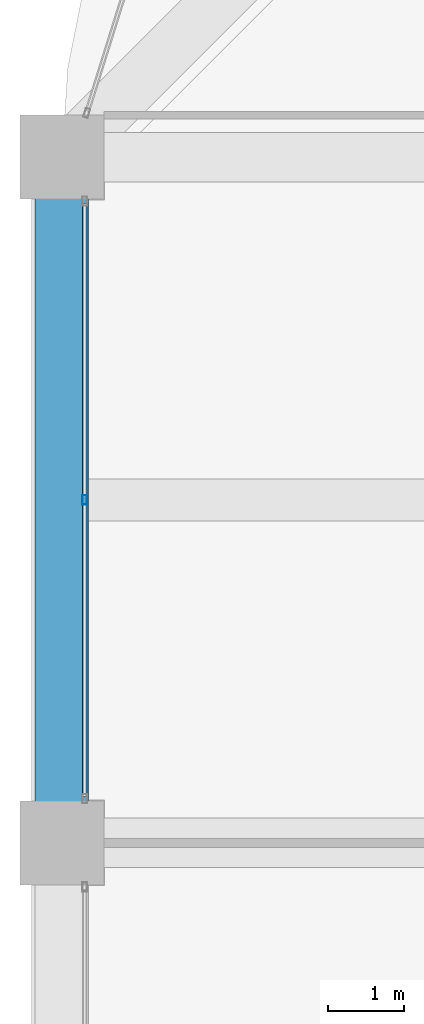
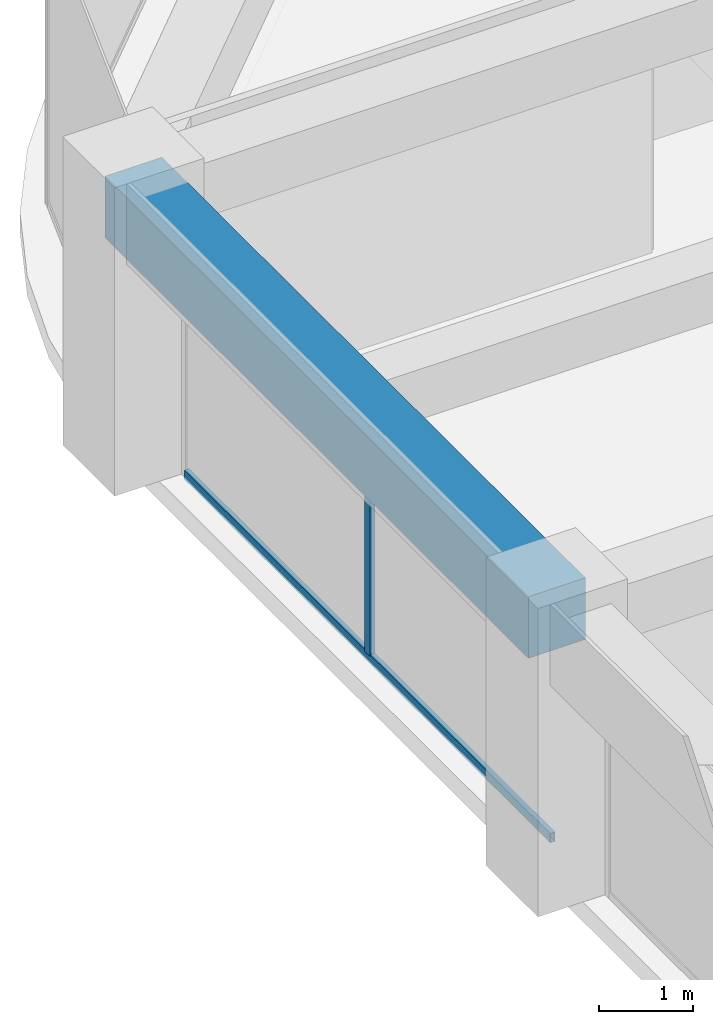
# One storey, part 16 of 45: 2 members, 1 beam, 1 element without a shape of its own.
"""IFC4 building model written with IfcOpenShell, lengths in metres."""

from ifc_helpers import new_model, si_unit, direction, frame, origin, origin_2d, place, context, subcontext, project, spatial, rectangle, hollow_rectangle, extrude, material, material_profile, profile_set, type_object, element, aggregate, save


model = new_model("IFC4")

# Units and contexts
model_context = context("Model", 3, precision=1e-05, world=origin(), true_north=direction((0.0, 1.0)))
body_context = subcontext(model_context, "Body", "Model", "MODEL_VIEW")
ifc_project = project(units=[si_unit("LENGTHUNIT", "METRE"), si_unit("AREAUNIT", "SQUARE_METRE"), si_unit("VOLUMEUNIT", "CUBIC_METRE"), si_unit("PLANEANGLEUNIT", "RADIAN"), si_unit("MASSUNIT", "GRAM", prefix="KILO")], contexts=[model_context])

# Site, building, storey
site_placement = place(None, origin())
site = spatial("IfcSite", under=ifc_project, at=site_placement, CompositionType="ELEMENT")
building_placement = place(site_placement, origin())
building = spatial("IfcBuilding", under=site, at=building_placement, Name="Zorevar Civic Tower", CompositionType="ELEMENT")
storey_placement = place(building_placement, frame((0.0, 0.0, 291.39990234375)))
storey = spatial("IfcBuildingStorey", under=building, at=storey_placement, Name="L71", CompositionType="ELEMENT", Elevation=291.39990234375)

# Curtain wall, members
ifc_material_1 = material(Name="Dark grey solar-control glass in black aluminium frame", Category="aluminium")
curtain_wall_type = type_object("IfcCurtainWallType", Name="Curtain wall CW5 top zone", PredefinedType="NOTDEFINED", material=ifc_material_1)
curtain_wall_placement = place(storey_placement, origin())
curtain_wall = element("IfcCurtainWall", 1, at=curtain_wall_placement, inside=storey, type_object=curtain_wall_type, Name="CW5 L71", PredefinedType="NOTDEFINED")
ifc_material_2 = material(Name="Aluminium, black anodised", Category="aluminium")
ifc_material_profile_1 = material_profile(ifc_material_2, hollow_rectangle(XDim=0.06005859375, YDim=0.1201171875, WallThickness=0.0029296875, at=origin_2d()), Name="AL 120x60x3")
ifc_profile_set_1 = profile_set([ifc_material_profile_1], Name="Aluminium, black anodised")
member_type_1 = type_object("IfcMemberType", Name="CW5 mullion AL 120x60x3", PredefinedType="MULLION", material=ifc_profile_set_1)
member_1_placement = place(storey_placement, frame((9.300048828125, 31.5, 0.06005859375), z_axis=(0.0, 0.0, 1.0), x_axis=(-1.0, 0.0, 0.0)))
member_1 = element("IfcMember", 2, at=member_1_placement, type_object=member_type_1, Name="CW5 mullion 2", PredefinedType="MULLION", context=body_context, shape_type="SweptSolid", body=[
    extrude(hollow_rectangle(XDim=0.06005859375, YDim=0.1201171875, WallThickness=0.0029296875, at=origin_2d()), origin(), (0.0, 0.0, 1.0), 2.89013671875),
])
ifc_material_3 = material(Name="Aluminium, black anodised", Category="aluminium")
ifc_material_profile_2 = material_profile(ifc_material_3, hollow_rectangle(XDim=0.06005859375, YDim=0.1201171875, WallThickness=0.0029296875, at=origin_2d()), Name="AL 120x60x3")
ifc_profile_set_2 = profile_set([ifc_material_profile_2], Name="Aluminium, black anodised")
member_type_2 = type_object("IfcMemberType", Name="CW5 transom AL 120x60x3", PredefinedType="USERDEFINED", material=ifc_profile_set_2)
member_2_placement = place(storey_placement, frame((9.300048828125, 27.610107421875, 0.030029296875), z_axis=(0.0, 1.0, 0.0), x_axis=(-1.0, 0.0, 0.0)))
member_2 = element("IfcMember", 3, at=member_2_placement, type_object=member_type_2, Name="CW5 sill transom", ObjectType="TRANSOM", PredefinedType="USERDEFINED", context=body_context, shape_type="SweptSolid", body=[
    extrude(hollow_rectangle(XDim=0.06005859375, YDim=0.1201171875, WallThickness=0.0029296875, at=origin_2d()), origin(), (0.0, 0.0, 1.0), 7.77978515625),
])
aggregate(curtain_wall, [member_1, member_2])

# Beam
ifc_material_4 = material(Name="Concrete C50/60", Category="concrete")
ifc_material_profile_3 = material_profile(ifc_material_4, rectangle(XDim=0.699951171875, YDim=0.800048828125, at=origin_2d()), Name="RC 700x800")
ifc_profile_set_3 = profile_set([ifc_material_profile_3], Name="Concrete C50/60")
beam_type = type_object("IfcBeamType", Name="Edge beam RC 700x800", PredefinedType="SPANDREL", material=ifc_profile_set_3)
beam_placement = place(storey_placement, frame((9.0, 27.0, 3.35009765625), z_axis=(0.0, 1.0, 0.0), x_axis=(-1.0, 0.0, 0.0)))
element("IfcBeam", 4, at=beam_placement, inside=storey, type_object=beam_type, Name="Edge beam L72", PredefinedType="SPANDREL", context=body_context, shape_type="SweptSolid", body=[
    extrude(rectangle(XDim=0.699951171875, YDim=0.800048828125, at=origin_2d()), origin(), (0.0, 0.0, 1.0), 9.0),
])

save(model, "model.ifc")
